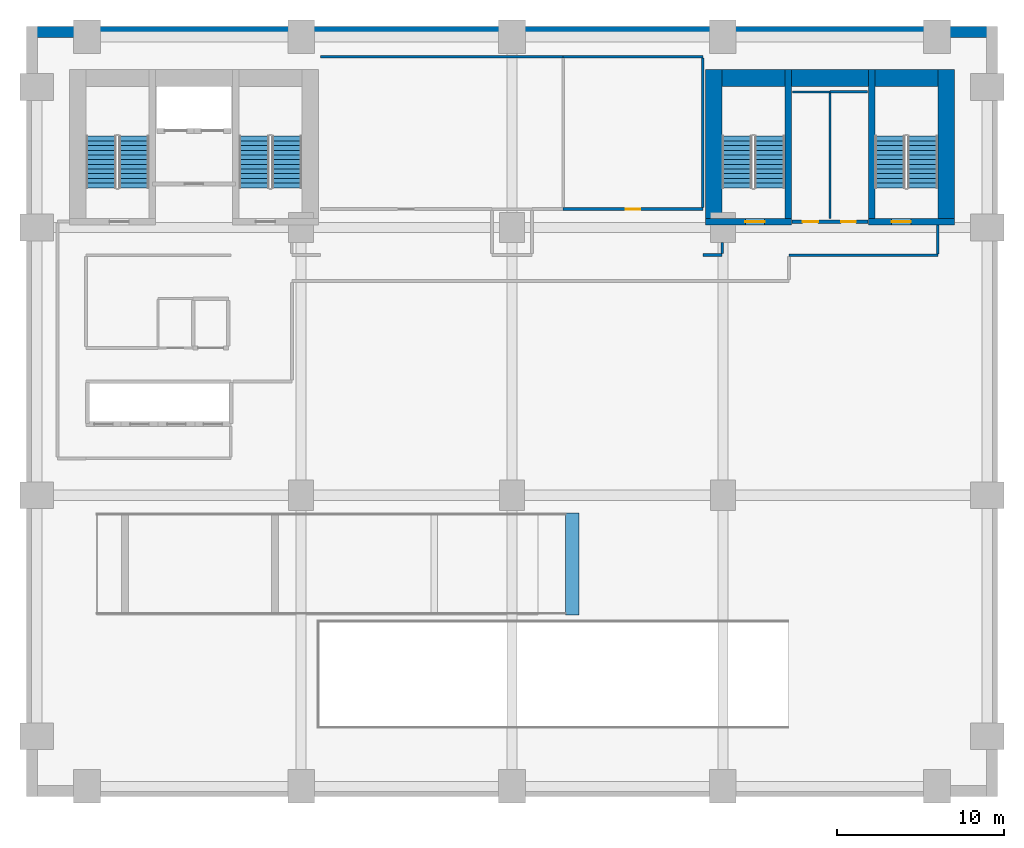
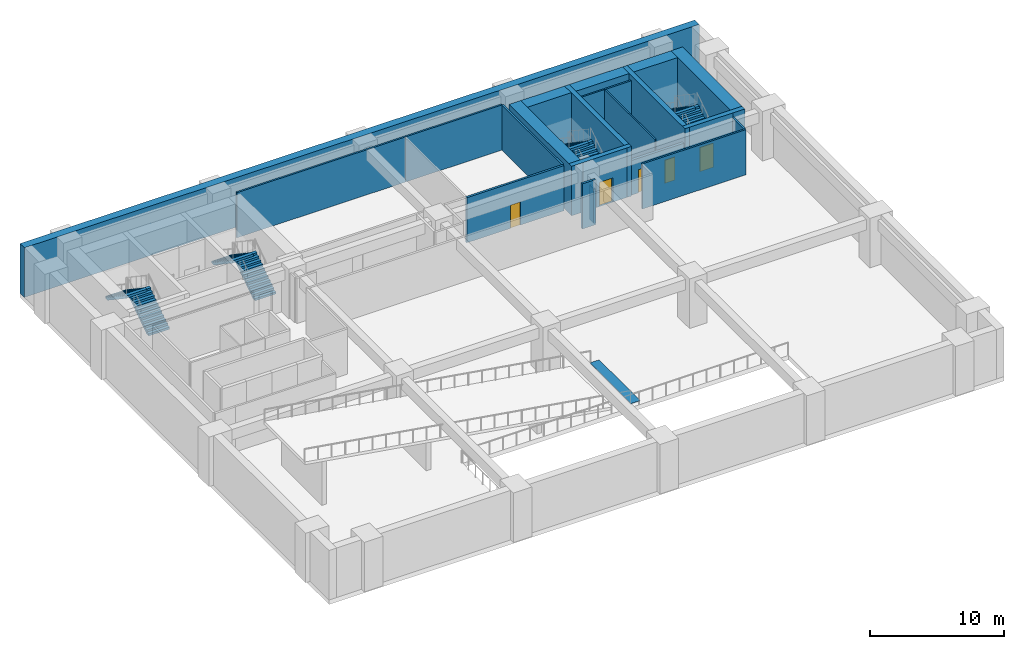
# One storey, part 3 of 6: 20 walls, 8 stair flights, 5 doors, 1 ramp, 5 openings, 4 elements without a shape of their own.
"""IFC4 building model written with IfcOpenShell, lengths in metres."""

from ifc_helpers import new_model, si_unit, direction, frame, frame_2d, origin, place, context, subcontext, project, spatial, polyline, rectangle, outline, extrude, material, layer, layer_set, type_object, element, fill, aggregate, save


model = new_model("IFC4")

# Units and contexts
model_context = context("Model", 3, precision=1e-05, world=origin(), true_north=direction((0.0, 1.0)))
body_context = subcontext(model_context, "Body", "Model", "MODEL_VIEW")
ifc_project = project(units=[si_unit("LENGTHUNIT", "METRE"), si_unit("AREAUNIT", "SQUARE_METRE"), si_unit("VOLUMEUNIT", "CUBIC_METRE"), si_unit("PLANEANGLEUNIT", "RADIAN"), si_unit("MASSUNIT", "GRAM", prefix="KILO")], contexts=[model_context])

# Site, building, storey
site_placement = place(None, origin())
site = spatial("IfcSite", under=ifc_project, at=site_placement, CompositionType="ELEMENT")
building_placement = place(site_placement, origin())
building = spatial("IfcBuilding", under=site, at=building_placement, Name="Sulina Concourse Tower", CompositionType="ELEMENT")
storey_placement = place(building_placement, frame((0.0, 0.0, -4.5)))
storey = spatial("IfcBuildingStorey", under=building, at=storey_placement, Name="B1", CompositionType="ELEMENT", Elevation=-4.5)

# Wall
ifc_material_1 = material(Name="Concrete C50/60", Category="concrete")
ifc_layer_1 = layer(ifc_material_1, 0.64990234375)
ifc_layer_set_1 = layer_set([ifc_layer_1], Name="Concrete C50/60")
wall_type_1 = type_object("IfcWallType", Name="Basement Perimeter Retaining Wall 650mm", PredefinedType="SOLIDWALL", material=ifc_layer_set_1)
wall_1_placement = place(storey_placement, frame((0.0, 45.675048828125, 0.0), z_axis=(0.0, 0.0, 1.0), x_axis=(1.0, 0.0, 0.0)))
element("IfcWall", 1, at=wall_1_placement, inside=storey, type_object=wall_type_1, Name="B1 basement retaining wall RW-N", PredefinedType="SOLIDWALL", context=body_context, shape_type="SweptSolid", body=[
    extrude(rectangle(XDim=58.0, YDim=0.64990234375, at=frame_2d((29.0, 0.0))), origin(), (0.0, 0.0, 1.0), 4.5),
])

# Wall, openings, doors
ifc_material_2 = material(Name="Gypsum board on steel stud", Category="steel")
ifc_layer_2 = layer(ifc_material_2, 0.219970703125)
ifc_layer_set_2 = layer_set([ifc_layer_2], Name="Gypsum board on steel stud")
wall_type_2 = type_object("IfcWallType", Name="Fire-Rated Lobby & Compartment Wall 220mm", PredefinedType="PARTITIONING", material=ifc_layer_set_2)
wall_2_placement = place(storey_placement, frame((45.719970703125, 34.35009765625, 0.0), z_axis=(0.0, 0.0, 1.0), x_axis=(1.0, 0.0, 0.0)))
wall_2 = element("IfcWall", 2, at=wall_2_placement, inside=storey, type_object=wall_type_2, Name="B1 east core south lobby wall", PredefinedType="PARTITIONING", context=body_context, shape_type="SweptSolid", body=[
    extrude(rectangle(XDim=4.56005859375, YDim=0.219970703125, at=frame_2d((2.280029296875, 0.0))), origin(), (0.0, 0.0, 1.0), 3.14501953125),
])
opening_1_placement = place(wall_2_placement, frame((0.64990234375, 0.0, 0.0)))
opening_1 = element("IfcOpeningElement", 3, at=opening_1_placement, cuts=wall_2, Name="Opening DR-61", PredefinedType="OPENING", context=body_context, shape_type="SweptSolid", body=[
    extrude(rectangle(XDim=0.919921875, YDim=2.10009765625, at=frame_2d((0.4599609375, 1.050048828125))), frame((0.0, 0.119873046875, 0.0), z_axis=(0.0, -1.0, 0.0), x_axis=(1.0, 0.0, 0.0)), (0.0, 0.0, 1.0), 0.239990234375),
])
opening_2_placement = place(wall_2_placement, frame((2.949951171875, 0.0, 0.0)))
opening_2 = element("IfcOpeningElement", 4, at=opening_2_placement, cuts=wall_2, Name="Opening DR-38", PredefinedType="OPENING", context=body_context, shape_type="SweptSolid", body=[
    extrude(rectangle(XDim=0.8798828125, YDim=2.10009765625, at=frame_2d((0.43994140625, 1.050048828125))), frame((0.0, 0.119873046875, 0.0), z_axis=(0.0, -1.0, 0.0), x_axis=(1.0, 0.0, 0.0)), (0.0, 0.0, 1.0), 0.239990234375),
])
ifc_material_3 = material(Name="Oak-veneered fire door leaf")
ifc_layer_3 = layer(ifc_material_3, 0.050048828125)
ifc_layer_set_3 = layer_set([ifc_layer_3], Name="Oak-veneered fire door leaf")
door_type_1 = type_object("IfcDoorType", Name="Accessible WC Door 920x2100", OperationType="NOTDEFINED", PredefinedType="DOOR", material=ifc_layer_set_3)
door_1_placement = place(opening_1_placement, origin())
door_1 = element("IfcDoor", 5, at=door_1_placement, inside=storey, type_object=door_type_1, Name="B1 east core accessible wc door", OperationType="SINGLE_SWING_RIGHT", OverallHeight=2.10009765625, OverallWidth=0.919921875, PredefinedType="DOOR", context=body_context, shape_type="SweptSolid", body=[
    extrude(rectangle(XDim=0.919921875, YDim=2.10009765625, at=frame_2d((0.4599609375, 1.050048828125))), frame((0.0, 0.02490234375, 0.0), z_axis=(0.0, -1.0, 0.0), x_axis=(1.0, 0.0, 0.0)), (0.0, 0.0, 1.0), 0.050048828125),
])
fill(opening_1, door_1)
ifc_material_4 = material(Name="Galvanised steel acoustic fire leaf", Category="steel")
ifc_layer_4 = layer(ifc_material_4, 0.050048828125)
ifc_layer_set_4 = layer_set([ifc_layer_4], Name="Galvanised steel acoustic fire leaf")
door_type_2 = type_object("IfcDoorType", Name="Service Riser Fire Door 880x2100", OperationType="NOTDEFINED", PredefinedType="DOOR", material=ifc_layer_set_4)
door_2_placement = place(opening_2_placement, origin())
door_2 = element("IfcDoor", 6, at=door_2_placement, inside=storey, type_object=door_type_2, Name="B1 east core store door", OperationType="SINGLE_SWING_LEFT", OverallHeight=2.10009765625, OverallWidth=0.8798828125, PredefinedType="DOOR", context=body_context, shape_type="SweptSolid", body=[
    extrude(rectangle(XDim=0.8798828125, YDim=2.10009765625, at=frame_2d((0.43994140625, 1.050048828125))), frame((0.0, 0.02490234375, 0.0), z_axis=(0.0, -1.0, 0.0), x_axis=(1.0, 0.0, 0.0)), (0.0, 0.0, 1.0), 0.050048828125),
])
fill(opening_2, door_2)

# Walls
ifc_material_5 = material(Name="Gypsum board on steel stud", Category="steel")
ifc_layer_5 = layer(ifc_material_5, 0.14990234375)
ifc_layer_set_5 = layer_set([ifc_layer_5], Name="Gypsum board on steel stud")
wall_type_3 = type_object("IfcWallType", Name="Inter-Tenancy Acoustic Partition 150mm", PredefinedType="PARTITIONING", material=ifc_layer_set_5)
wall_3_placement = place(storey_placement, frame((45.550048828125, 32.35009765625, 0.0), z_axis=(0.0, 0.0, 1.0), x_axis=(1.0, 0.0, 0.0)))
element("IfcWall", 7, at=wall_3_placement, inside=storey, type_object=wall_type_3, Name="B1 interior partition 014", PredefinedType="PARTITIONING", context=body_context, shape_type="SweptSolid", body=[
    extrude(rectangle(XDim=8.89990234375, YDim=0.14990234375, at=frame_2d((4.449951171875, 0.0))), origin(), (0.0, 0.0, 1.0), 4.10009765625),
])
wall_4_placement = place(storey_placement, frame((48.0, 42.10009765625, 0.0), z_axis=(0.0, 0.0, 1.0), x_axis=(1.0, 0.0, 0.0)))
element("IfcWall", 8, at=wall_4_placement, inside=storey, type_object=wall_type_3, Name="B1 interior partition 021", PredefinedType="PARTITIONING", context=body_context, shape_type="SweptSolid", body=[
    extrude(rectangle(XDim=2.25, YDim=0.14990234375, at=frame_2d((1.125, 0.0))), origin(), (0.0, 0.0, 1.0), 4.10009765625),
])
wall_5_placement = place(storey_placement, frame((17.550048828125, 44.199951171875, 0.0), z_axis=(0.0, 0.0, 1.0), x_axis=(1.0, 0.0, 0.0)))
element("IfcWall", 9, at=wall_5_placement, inside=storey, type_object=wall_type_3, Name="B1 interior partition 022", PredefinedType="PARTITIONING", context=body_context, shape_type="SweptSolid", body=[
    extrude(rectangle(XDim=14.5, YDim=0.14990234375, at=frame_2d((7.25, 0.0))), origin(), (0.0, 0.0, 1.0), 4.10009765625),
])
wall_6_placement = place(storey_placement, frame((32.050048828125, 44.199951171875, 0.0), z_axis=(0.0, 0.0, 1.0), x_axis=(1.0, 0.0, 0.0)))
element("IfcWall", 10, at=wall_6_placement, inside=storey, type_object=wall_type_3, Name="B1 interior partition 023", PredefinedType="PARTITIONING", context=body_context, shape_type="SweptSolid", body=[
    extrude(rectangle(XDim=8.349853515625, YDim=0.14990234375, at=frame_2d((4.1748046875, 0.0))), origin(), (0.0, 0.0, 1.0), 4.10009765625),
])
wall_7_placement = place(storey_placement, frame((40.39990234375, 35.18994140625, 0.0), z_axis=(0.0, 0.0, 1.0), x_axis=(0.0, 1.0, 0.0)))
element("IfcWall", 11, at=wall_7_placement, inside=storey, type_object=wall_type_3, Name="B1 interior partition 035", PredefinedType="PARTITIONING", context=body_context, shape_type="SweptSolid", body=[
    extrude(rectangle(XDim=8.93505859375, YDim=0.14990234375, at=frame_2d((4.467529296875, 0.0))), origin(), (0.0, 0.0, 1.0), 4.10009765625),
])
wall_8_placement = place(storey_placement, frame((41.550048828125, 32.43994140625, 0.0), z_axis=(0.0, 0.0, 1.0), x_axis=(0.0, 1.0, 0.0)))
element("IfcWall", 12, at=wall_8_placement, inside=storey, type_object=wall_type_3, Name="B1 interior partition 036", PredefinedType="PARTITIONING", context=body_context, shape_type="SweptSolid", body=[
    extrude(rectangle(XDim=0.66015625, YDim=0.14990234375, at=frame_2d((0.330078125, 0.0))), origin(), (0.0, 0.0, 1.0), 3.14501953125),
])
wall_9_placement = place(storey_placement, frame((54.449951171875, 32.425048828125, 0.0), z_axis=(0.0, 0.0, 1.0), x_axis=(0.0, 1.0, 0.0)))
element("IfcWall", 13, at=wall_9_placement, inside=storey, type_object=wall_type_3, Name="B1 interior partition 039", PredefinedType="PARTITIONING", context=body_context, shape_type="SweptSolid", body=[
    extrude(rectangle(XDim=1.724853515625, YDim=0.14990234375, at=frame_2d((0.8623046875, 0.0))), origin(), (0.0, 0.0, 1.0), 4.10009765625),
])
ifc_material_6 = material(Name="Gypsum board on steel stud", Category="steel")
ifc_layer_6 = layer(ifc_material_6, 0.179931640625)
ifc_layer_set_6 = layer_set([ifc_layer_6], Name="Gypsum board on steel stud")
wall_type_4 = type_object("IfcWallType", Name="Protected Corridor & Riser Partition 180mm", PredefinedType="PARTITIONING", material=ifc_layer_set_6)
wall_10_placement = place(storey_placement, frame((40.39990234375, 32.35009765625, 0.0), z_axis=(0.0, 0.0, 1.0), x_axis=(1.0, 0.0, 0.0)))
element("IfcWall", 14, at=wall_10_placement, inside=storey, type_object=wall_type_4, Name="B1 interior partition 013", PredefinedType="PARTITIONING", context=body_context, shape_type="SweptSolid", body=[
    extrude(rectangle(XDim=1.150146484375, YDim=0.179931640625, at=frame_2d((0.5751953125, 0.0))), origin(), (0.0, 0.0, 1.0), 4.10009765625),
])

# Wall, opening, door
wall_11_placement = place(storey_placement, frame((32.050048828125, 35.10009765625, 0.0), z_axis=(0.0, 0.0, 1.0), x_axis=(1.0, 0.0, 0.0)))
wall_11 = element("IfcWall", 15, at=wall_11_placement, inside=storey, type_object=wall_type_4, Name="B1 interior partition 019", PredefinedType="PARTITIONING", context=body_context, shape_type="SweptSolid", body=[
    extrude(rectangle(XDim=8.349853515625, YDim=0.179931640625, at=frame_2d((4.1748046875, 0.0))), origin(), (0.0, 0.0, 1.0), 4.10009765625),
])
opening_3_placement = place(wall_11_placement, frame((3.735107421875, 0.0, 0.0)))
opening_3 = element("IfcOpeningElement", 16, at=opening_3_placement, cuts=wall_11, Name="Opening DR-38", PredefinedType="OPENING", context=body_context, shape_type="SweptSolid", body=[
    extrude(rectangle(XDim=0.8798828125, YDim=2.10009765625, at=frame_2d((0.43994140625, 1.050048828125))), frame((0.0, 0.099853515625, 0.0), z_axis=(0.0, -1.0, 0.0), x_axis=(1.0, 0.0, 0.0)), (0.0, 0.0, 1.0), 0.199951171875),
])
door_3_placement = place(opening_3_placement, origin())
door_3 = element("IfcDoor", 17, at=door_3_placement, inside=storey, type_object=door_type_2, Name="B1 interior door B1-CYC-ST", OperationType="SINGLE_SWING_RIGHT", OverallHeight=2.10009765625, OverallWidth=0.8798828125, PredefinedType="DOOR", context=body_context, shape_type="SweptSolid", body=[
    extrude(rectangle(XDim=0.8798828125, YDim=2.10009765625, at=frame_2d((0.43994140625, 1.050048828125))), frame((0.0, 0.02490234375, 0.0), z_axis=(0.0, -1.0, 0.0), x_axis=(1.0, 0.0, 0.0)), (0.0, 0.0, 1.0), 0.050048828125),
])
fill(opening_3, door_3)

ifc_material_7 = material(Name="Concrete C60/75", Category="concrete")
ifc_layer_7 = layer(ifc_material_7, 0.39990234375)
ifc_layer_set_7 = layer_set([ifc_layer_7], Name="Concrete C60/75")
wall_type_5 = type_object("IfcWallType", Name="Protected Stair Core Shear Wall 400mm", PredefinedType="SHEAR", material=ifc_layer_set_7)
wall_12_placement = place(storey_placement, frame((40.550048828125, 34.35009765625, 0.0), z_axis=(0.0, 0.0, 1.0), x_axis=(1.0, 0.0, 0.0)))
wall_12 = element("IfcWall", 18, at=wall_12_placement, inside=storey, type_object=wall_type_5, Name="B1 east core shear wall CW-ES1", PredefinedType="SHEAR", context=body_context, shape_type="SweptSolid", body=[
    extrude(rectangle(XDim=5.159912109375, YDim=0.39990234375, at=frame_2d((2.580078125, 0.0))), origin(), (0.0, 0.0, 1.0), 4.5),
])
opening_4_placement = place(wall_12_placement, frame((2.39990234375, 0.0, 0.0)))
opening_4 = element("IfcOpeningElement", 19, at=opening_4_placement, cuts=wall_12, Name="Opening DR-60", PredefinedType="OPENING", context=body_context, shape_type="SweptSolid", body=[
    extrude(rectangle(XDim=1.14990234375, YDim=2.199951171875, at=frame_2d((0.574951171875, 1.10009765625))), frame((0.0, 0.2099609375, 0.0), z_axis=(0.0, -1.0, 0.0), x_axis=(1.0, 0.0, 0.0)), (0.0, 0.0, 1.0), 0.419921875),
])
ifc_material_8 = material(Name="Galvanised steel acoustic fire leaf", Category="steel")
ifc_layer_8 = layer(ifc_material_8, 0.054931640625)
ifc_layer_set_8 = layer_set([ifc_layer_8], Name="Galvanised steel acoustic fire leaf")
door_type_3 = type_object("IfcDoorType", Name="Protected Exit Stair Fire Door 1150x2200", OperationType="NOTDEFINED", PredefinedType="DOOR", material=ifc_layer_set_8)
door_4_placement = place(opening_4_placement, origin())
door_4 = element("IfcDoor", 20, at=door_4_placement, inside=storey, type_object=door_type_3, Name="B1 stair ST-3 south lobby fire door", OperationType="SINGLE_SWING_LEFT", OverallHeight=2.199951171875, OverallWidth=1.14990234375, PredefinedType="DOOR", context=body_context, shape_type="SweptSolid", body=[
    extrude(rectangle(XDim=1.14990234375, YDim=2.199951171875, at=frame_2d((0.574951171875, 1.10009765625))), frame((0.0, 0.02490234375, 0.0), z_axis=(0.0, -1.0, 0.0), x_axis=(1.0, 0.0, 0.0)), (0.0, 0.0, 1.0), 0.050048828125),
])
fill(opening_4, door_4)

# Wall
wall_13_placement = place(storey_placement, frame((45.510009765625, 34.14990234375, 0.0), z_axis=(0.0, 0.0, 1.0), x_axis=(0.0, 1.0, 0.0)))
element("IfcWall", 21, at=wall_13_placement, inside=storey, type_object=wall_type_5, Name="B1 east core shear wall SW-ST3", PredefinedType="SHEAR", context=body_context, shape_type="SweptSolid", body=[
    extrude(rectangle(XDim=9.280029296875, YDim=0.39990234375, at=frame_2d((4.64013671875, 0.0))), origin(), (0.0, 0.0, 1.0), 4.5),
])

# Wall, opening, door
wall_14_placement = place(storey_placement, frame((50.2900390625, 34.35009765625, 0.0), z_axis=(0.0, 0.0, 1.0), x_axis=(1.0, 0.0, 0.0)))
wall_14 = element("IfcWall", 22, at=wall_14_placement, inside=storey, type_object=wall_type_5, Name="B1 east core shear wall CW-ES2", PredefinedType="SHEAR", context=body_context, shape_type="SweptSolid", body=[
    extrude(rectangle(XDim=5.159912109375, YDim=0.39990234375, at=frame_2d((2.580078125, 0.0))), origin(), (0.0, 0.0, 1.0), 4.5),
])
opening_5_placement = place(wall_14_placement, frame((1.39990234375, 0.0, 0.0)))
opening_5 = element("IfcOpeningElement", 23, at=opening_5_placement, cuts=wall_14, Name="Opening DR-60", PredefinedType="OPENING", context=body_context, shape_type="SweptSolid", body=[
    extrude(rectangle(XDim=1.14990234375, YDim=2.199951171875, at=frame_2d((0.574951171875, 1.10009765625))), frame((0.0, 0.2099609375, 0.0), z_axis=(0.0, -1.0, 0.0), x_axis=(1.0, 0.0, 0.0)), (0.0, 0.0, 1.0), 0.419921875),
])
door_5_placement = place(opening_5_placement, origin())
door_5 = element("IfcDoor", 24, at=door_5_placement, inside=storey, type_object=door_type_3, Name="B1 stair ST-4 south lobby fire door", OperationType="SINGLE_SWING_RIGHT", OverallHeight=2.199951171875, OverallWidth=1.14990234375, PredefinedType="DOOR", context=body_context, shape_type="SweptSolid", body=[
    extrude(rectangle(XDim=1.14990234375, YDim=2.199951171875, at=frame_2d((0.574951171875, 1.10009765625))), frame((0.0, 0.02490234375, 0.0), z_axis=(0.0, -1.0, 0.0), x_axis=(1.0, 0.0, 0.0)), (0.0, 0.0, 1.0), 0.050048828125),
])
fill(opening_5, door_5)

# Walls
wall_15_placement = place(storey_placement, frame((50.489990234375, 34.14990234375, 0.0), z_axis=(0.0, 0.0, 1.0), x_axis=(0.0, 1.0, 0.0)))
element("IfcWall", 25, at=wall_15_placement, inside=storey, type_object=wall_type_5, Name="B1 east core shear wall SW-ST4", PredefinedType="SHEAR", context=body_context, shape_type="SweptSolid", body=[
    extrude(rectangle(XDim=9.280029296875, YDim=0.39990234375, at=frame_2d((4.64013671875, 0.0))), origin(), (0.0, 0.0, 1.0), 4.5),
])
ifc_material_9 = material(Name="Concrete C80/95", Category="concrete")
ifc_layer_9 = layer(ifc_material_9, 1.0)
ifc_layer_set_9 = layer_set([ifc_layer_9], Name="Concrete C80/95")
wall_type_6 = type_object("IfcWallType", Name="Rear Core Shear Wall 1000mm", PredefinedType="SHEAR", material=ifc_layer_set_9)
wall_16_placement = place(storey_placement, frame((40.550048828125, 42.929931640625, 0.0), z_axis=(0.0, 0.0, 1.0), x_axis=(1.0, 0.0, 0.0)))
element("IfcWall", 26, at=wall_16_placement, inside=storey, type_object=wall_type_6, Name="B1 east core shear wall CW-EN", PredefinedType="SHEAR", context=body_context, shape_type="SweptSolid", body=[
    extrude(rectangle(XDim=14.89990234375, YDim=1.0, at=frame_2d((7.449951171875, 0.0))), origin(), (0.0, 0.0, 1.0), 4.5),
])
for number, where, z_axis, x_axis, name in (
    (27, (41.050048828125, 34.14990234375, 0.0), (0.0, 0.0, 1.0), (0.0, 1.0, 0.0), "B1 east core shear wall CW-EW"),
    (28, (54.949951171875, 34.14990234375, 0.0), (0.0, 0.0, 1.0), (0.0, 1.0, 0.0), "B1 east core shear wall CW-EE"),
):
    element("IfcWall", number, at=place(storey_placement, frame(where, z_axis=z_axis, x_axis=x_axis)), inside=storey, type_object=wall_type_6, Name=name, PredefinedType="SHEAR", context=body_context, shape_type="SweptSolid", body=[
        extrude(rectangle(XDim=9.280029296875, YDim=1.0, at=frame_2d((4.64013671875, 0.0))), origin(), (0.0, 0.0, 1.0), 4.5),
    ])
ifc_material_10 = material(Name="Gypsum board on steel stud", Category="steel")
ifc_layer_10 = layer(ifc_material_10, 0.125)
ifc_layer_set_10 = layer_set([ifc_layer_10], Name="Gypsum board on steel stud")
wall_type_7 = type_object("IfcWallType", Name="Wet-Area Moisture-Resistant Partition 125mm", PredefinedType="PARTITIONING", material=ifc_layer_set_10)
wall_17_placement = place(storey_placement, frame((45.75, 42.10009765625, 0.0), z_axis=(0.0, 0.0, 1.0), x_axis=(1.0, 0.0, 0.0)))
element("IfcWall", 29, at=wall_17_placement, inside=storey, type_object=wall_type_7, Name="B1 interior partition 020", PredefinedType="PARTITIONING", context=body_context, shape_type="SweptSolid", body=[
    extrude(rectangle(XDim=2.25, YDim=0.125, at=frame_2d((1.125, 0.0))), origin(), (0.0, 0.0, 1.0), 4.10009765625),
])
wall_18_placement = place(storey_placement, frame((48.0, 34.550048828125, 0.0), z_axis=(0.0, 0.0, 1.0), x_axis=(0.0, 1.0, 0.0)))
element("IfcWall", 30, at=wall_18_placement, inside=storey, type_object=wall_type_7, Name="B1 interior partition 038", PredefinedType="PARTITIONING", context=body_context, shape_type="SweptSolid", body=[
    extrude(rectangle(XDim=7.474853515625, YDim=0.125, at=frame_2d((3.7373046875, 0.0))), origin(), (0.0, 0.0, 1.0), 4.10009765625),
])

# Stair, stair flights
ifc_material_11 = material(Name="Concrete C50/60", Category="concrete")
stair_type_1 = type_object("IfcStairType", Name="Portal & Podium Core Exit Stair 1820mm", PredefinedType="HALF_TURN_STAIR", material=ifc_material_11)
stair_1_placement = place(storey_placement, origin())
stair_1 = element("IfcStair", 31, at=stair_1_placement, inside=storey, type_object=stair_type_1, Name="B1 ST-3", PredefinedType="HALF_TURN_STAIR")
ifc_material_12 = material(Name="Concrete C50/60", Category="concrete")
stair_flight_type_1 = type_object("IfcStairFlightType", Name="Portal & Podium Core Exit Stair 1820mm Flight", PredefinedType="STRAIGHT", material=ifc_material_12)
stair_flight_1_placement = place(storey_placement, frame((44.405029296875, 36.375, 0.0), z_axis=(0.0, 0.0, 1.0), x_axis=(0.0, 1.0, 0.0)))
stair_flight_1 = element("IfcStairFlight", 32, at=stair_flight_1_placement, type_object=stair_flight_type_1, Name="ST-3 flight 1", NumberOfRisers=12, NumberOfTreads=11, PredefinedType="STRAIGHT", RiserHeight=0.1875, TreadLength=0.28, context=body_context, shape_type="SweptSolid", body=[
    extrude(outline(polyline([(0.0, 0.0), (0.0, 0.1875), (0.280029296875, 0.1875), (0.280029296875, 0.375), (0.56005859375, 0.375), (0.56005859375, 0.5625), (0.840087890625, 0.5625), (0.840087890625, 0.75), (1.1201171875, 0.75), (1.1201171875, 0.9375), (1.39990234375, 0.9375), (1.39990234375, 1.125), (1.679931640625, 1.125), (1.679931640625, 1.3125), (1.9599609375, 1.3125), (1.9599609375, 1.5), (2.239990234375, 1.5), (2.239990234375, 1.6875), (2.52001953125, 1.6875), (2.52001953125, 1.875), (2.800048828125, 1.875), (2.800048828125, 2.0625), (3.080078125, 2.0625), (3.080078125, 2.25), (3.080078125, 1.845947265625), (0.323486328125, 0.0), (0.0, 0.0)])), frame((0.0, 0.89990234375, 0.0), z_axis=(0.0, -1.0, 0.0), x_axis=(1.0, 0.0, 0.0)), (0.0, 0.0, 1.0), 1.800048828125),
])
stair_flight_2_placement = place(storey_placement, frame((42.455078125, 39.455078125, 2.25), z_axis=(0.0, 0.0, 1.0), x_axis=(0.0, -1.0, 0.0)))
stair_flight_2 = element("IfcStairFlight", 33, at=stair_flight_2_placement, type_object=stair_flight_type_1, Name="ST-3 flight 2", NumberOfRisers=12, NumberOfTreads=11, PredefinedType="STRAIGHT", RiserHeight=0.1875, TreadLength=0.28, context=body_context, shape_type="SweptSolid", body=[
    extrude(outline(polyline([(0.0, 0.0), (0.0, 0.1875), (0.280029296875, 0.1875), (0.280029296875, 0.375), (0.56005859375, 0.375), (0.56005859375, 0.5625), (0.840087890625, 0.5625), (0.840087890625, 0.75), (1.1201171875, 0.75), (1.1201171875, 0.9375), (1.39990234375, 0.9375), (1.39990234375, 1.125), (1.679931640625, 1.125), (1.679931640625, 1.3125), (1.9599609375, 1.3125), (1.9599609375, 1.5), (2.239990234375, 1.5), (2.239990234375, 1.6875), (2.52001953125, 1.6875), (2.52001953125, 1.875), (2.800048828125, 1.875), (2.800048828125, 2.0625), (3.080078125, 2.0625), (3.080078125, 2.25), (3.080078125, 1.845947265625), (0.323486328125, 0.0), (0.0, 0.0)])), frame((0.0, 0.89990234375, 0.0), z_axis=(0.0, -1.0, 0.0), x_axis=(1.0, 0.0, 0.0)), (0.0, 0.0, 1.0), 1.800048828125),
])
aggregate(stair_1, [stair_flight_1, stair_flight_2])

stair_2_placement = place(storey_placement, origin())
stair_2 = element("IfcStair", 34, at=stair_2_placement, inside=storey, type_object=stair_type_1, Name="B1 ST-4", PredefinedType="HALF_TURN_STAIR")
stair_flight_3_placement = place(storey_placement, frame((53.544921875, 36.375, 0.0), z_axis=(0.0, 0.0, 1.0), x_axis=(0.0, 1.0, 0.0)))
stair_flight_3 = element("IfcStairFlight", 35, at=stair_flight_3_placement, type_object=stair_flight_type_1, Name="ST-4 flight 1", NumberOfRisers=12, NumberOfTreads=11, PredefinedType="STRAIGHT", RiserHeight=0.1875, TreadLength=0.28, context=body_context, shape_type="SweptSolid", body=[
    extrude(outline(polyline([(0.0, 0.0), (0.0, 0.1875), (0.280029296875, 0.1875), (0.280029296875, 0.375), (0.56005859375, 0.375), (0.56005859375, 0.5625), (0.840087890625, 0.5625), (0.840087890625, 0.75), (1.1201171875, 0.75), (1.1201171875, 0.9375), (1.39990234375, 0.9375), (1.39990234375, 1.125), (1.679931640625, 1.125), (1.679931640625, 1.3125), (1.9599609375, 1.3125), (1.9599609375, 1.5), (2.239990234375, 1.5), (2.239990234375, 1.6875), (2.52001953125, 1.6875), (2.52001953125, 1.875), (2.800048828125, 1.875), (2.800048828125, 2.0625), (3.080078125, 2.0625), (3.080078125, 2.25), (3.080078125, 1.845947265625), (0.323486328125, 0.0), (0.0, 0.0)])), frame((0.0, 0.89990234375, 0.0), z_axis=(0.0, -1.0, 0.0), x_axis=(1.0, 0.0, 0.0)), (0.0, 0.0, 1.0), 1.800048828125),
])
stair_flight_4_placement = place(storey_placement, frame((51.594970703125, 39.455078125, 2.25), z_axis=(0.0, 0.0, 1.0), x_axis=(0.0, -1.0, 0.0)))
stair_flight_4 = element("IfcStairFlight", 36, at=stair_flight_4_placement, type_object=stair_flight_type_1, Name="ST-4 flight 2", NumberOfRisers=12, NumberOfTreads=11, PredefinedType="STRAIGHT", RiserHeight=0.1875, TreadLength=0.28, context=body_context, shape_type="SweptSolid", body=[
    extrude(outline(polyline([(0.0, 0.0), (0.0, 0.1875), (0.280029296875, 0.1875), (0.280029296875, 0.375), (0.56005859375, 0.375), (0.56005859375, 0.5625), (0.840087890625, 0.5625), (0.840087890625, 0.75), (1.1201171875, 0.75), (1.1201171875, 0.9375), (1.39990234375, 0.9375), (1.39990234375, 1.125), (1.679931640625, 1.125), (1.679931640625, 1.3125), (1.9599609375, 1.3125), (1.9599609375, 1.5), (2.239990234375, 1.5), (2.239990234375, 1.6875), (2.52001953125, 1.6875), (2.52001953125, 1.875), (2.800048828125, 1.875), (2.800048828125, 2.0625), (3.080078125, 2.0625), (3.080078125, 2.25), (3.080078125, 1.845947265625), (0.323486328125, 0.0), (0.0, 0.0)])), frame((0.0, 0.89990234375, 0.0), z_axis=(0.0, -1.0, 0.0), x_axis=(1.0, 0.0, 0.0)), (0.0, 0.0, 1.0), 1.800048828125),
])
aggregate(stair_2, [stair_flight_3, stair_flight_4])

ifc_material_13 = material(Name="Concrete C50/60", Category="concrete")
stair_type_2 = type_object("IfcStairType", Name="Primary Core Dog-Leg Exit Stair 1800mm", PredefinedType="HALF_TURN_STAIR", material=ifc_material_13)
stair_3_placement = place(storey_placement, origin())
stair_3 = element("IfcStair", 37, at=stair_3_placement, inside=storey, type_object=stair_type_2, Name="B1 ST-1", PredefinedType="HALF_TURN_STAIR")
ifc_material_14 = material(Name="Concrete C50/60", Category="concrete")
stair_flight_type_2 = type_object("IfcStairFlightType", Name="Primary Core Dog-Leg Exit Stair 1800mm Flight", PredefinedType="STRAIGHT", material=ifc_material_14)
stair_flight_5_placement = place(storey_placement, frame((6.405029296875, 36.375, 0.0), z_axis=(0.0, 0.0, 1.0), x_axis=(0.0, 1.0, 0.0)))
stair_flight_5 = element("IfcStairFlight", 38, at=stair_flight_5_placement, type_object=stair_flight_type_2, Name="ST-1 flight 1", NumberOfRisers=12, NumberOfTreads=11, PredefinedType="STRAIGHT", RiserHeight=0.1875, TreadLength=0.28, context=body_context, shape_type="SweptSolid", body=[
    extrude(outline(polyline([(0.0, 0.0), (0.0, 0.1875), (0.280029296875, 0.1875), (0.280029296875, 0.375), (0.56005859375, 0.375), (0.56005859375, 0.5625), (0.840087890625, 0.5625), (0.840087890625, 0.75), (1.1201171875, 0.75), (1.1201171875, 0.9375), (1.39990234375, 0.9375), (1.39990234375, 1.125), (1.679931640625, 1.125), (1.679931640625, 1.3125), (1.9599609375, 1.3125), (1.9599609375, 1.5), (2.239990234375, 1.5), (2.239990234375, 1.6875), (2.52001953125, 1.6875), (2.52001953125, 1.875), (2.800048828125, 1.875), (2.800048828125, 2.0625), (3.080078125, 2.0625), (3.080078125, 2.25), (3.080078125, 1.845947265625), (0.323486328125, 0.0), (0.0, 0.0)])), frame((0.0, 0.89990234375, 0.0), z_axis=(0.0, -1.0, 0.0), x_axis=(1.0, 0.0, 0.0)), (0.0, 0.0, 1.0), 1.800048828125),
])
stair_flight_6_placement = place(storey_placement, frame((4.455078125, 39.455078125, 2.25), z_axis=(0.0, 0.0, 1.0), x_axis=(0.0, -1.0, 0.0)))
stair_flight_6 = element("IfcStairFlight", 39, at=stair_flight_6_placement, type_object=stair_flight_type_2, Name="ST-1 flight 2", NumberOfRisers=12, NumberOfTreads=11, PredefinedType="STRAIGHT", RiserHeight=0.1875, TreadLength=0.28, context=body_context, shape_type="SweptSolid", body=[
    extrude(outline(polyline([(0.0, 0.0), (0.0, 0.1875), (0.280029296875, 0.1875), (0.280029296875, 0.375), (0.56005859375, 0.375), (0.56005859375, 0.5625), (0.840087890625, 0.5625), (0.840087890625, 0.75), (1.1201171875, 0.75), (1.1201171875, 0.9375), (1.39990234375, 0.9375), (1.39990234375, 1.125), (1.679931640625, 1.125), (1.679931640625, 1.3125), (1.9599609375, 1.3125), (1.9599609375, 1.5), (2.239990234375, 1.5), (2.239990234375, 1.6875), (2.52001953125, 1.6875), (2.52001953125, 1.875), (2.800048828125, 1.875), (2.800048828125, 2.0625), (3.080078125, 2.0625), (3.080078125, 2.25), (3.080078125, 1.845947265625), (0.323486328125, 0.0), (0.0, 0.0)])), frame((0.0, 0.89990234375, 0.0), z_axis=(0.0, -1.0, 0.0), x_axis=(1.0, 0.0, 0.0)), (0.0, 0.0, 1.0), 1.800048828125),
])
aggregate(stair_3, [stair_flight_5, stair_flight_6])

stair_4_placement = place(storey_placement, origin())
stair_4 = element("IfcStair", 40, at=stair_4_placement, inside=storey, type_object=stair_type_2, Name="B1 ST-2", PredefinedType="HALF_TURN_STAIR")
stair_flight_7_placement = place(storey_placement, frame((15.544921875, 36.375, 0.0), z_axis=(0.0, 0.0, 1.0), x_axis=(0.0, 1.0, 0.0)))
stair_flight_7 = element("IfcStairFlight", 41, at=stair_flight_7_placement, type_object=stair_flight_type_2, Name="ST-2 flight 1", NumberOfRisers=12, NumberOfTreads=11, PredefinedType="STRAIGHT", RiserHeight=0.1875, TreadLength=0.28, context=body_context, shape_type="SweptSolid", body=[
    extrude(outline(polyline([(0.0, 0.0), (0.0, 0.1875), (0.280029296875, 0.1875), (0.280029296875, 0.375), (0.56005859375, 0.375), (0.56005859375, 0.5625), (0.840087890625, 0.5625), (0.840087890625, 0.75), (1.1201171875, 0.75), (1.1201171875, 0.9375), (1.39990234375, 0.9375), (1.39990234375, 1.125), (1.679931640625, 1.125), (1.679931640625, 1.3125), (1.9599609375, 1.3125), (1.9599609375, 1.5), (2.239990234375, 1.5), (2.239990234375, 1.6875), (2.52001953125, 1.6875), (2.52001953125, 1.875), (2.800048828125, 1.875), (2.800048828125, 2.0625), (3.080078125, 2.0625), (3.080078125, 2.25), (3.080078125, 1.845947265625), (0.323486328125, 0.0), (0.0, 0.0)])), frame((0.0, 0.89990234375, 0.0), z_axis=(0.0, -1.0, 0.0), x_axis=(1.0, 0.0, 0.0)), (0.0, 0.0, 1.0), 1.800048828125),
])
stair_flight_8_placement = place(storey_placement, frame((13.594970703125, 39.455078125, 2.25), z_axis=(0.0, 0.0, 1.0), x_axis=(0.0, -1.0, 0.0)))
stair_flight_8 = element("IfcStairFlight", 42, at=stair_flight_8_placement, type_object=stair_flight_type_2, Name="ST-2 flight 2", NumberOfRisers=12, NumberOfTreads=11, PredefinedType="STRAIGHT", RiserHeight=0.1875, TreadLength=0.28, context=body_context, shape_type="SweptSolid", body=[
    extrude(outline(polyline([(0.0, 0.0), (0.0, 0.1875), (0.280029296875, 0.1875), (0.280029296875, 0.375), (0.56005859375, 0.375), (0.56005859375, 0.5625), (0.840087890625, 0.5625), (0.840087890625, 0.75), (1.1201171875, 0.75), (1.1201171875, 0.9375), (1.39990234375, 0.9375), (1.39990234375, 1.125), (1.679931640625, 1.125), (1.679931640625, 1.3125), (1.9599609375, 1.3125), (1.9599609375, 1.5), (2.239990234375, 1.5), (2.239990234375, 1.6875), (2.52001953125, 1.6875), (2.52001953125, 1.875), (2.800048828125, 1.875), (2.800048828125, 2.0625), (3.080078125, 2.0625), (3.080078125, 2.25), (3.080078125, 1.845947265625), (0.323486328125, 0.0), (0.0, 0.0)])), frame((0.0, 0.89990234375, 0.0), z_axis=(0.0, -1.0, 0.0), x_axis=(1.0, 0.0, 0.0)), (0.0, 0.0, 1.0), 1.800048828125),
])
aggregate(stair_4, [stair_flight_7, stair_flight_8])

# Ramp
ifc_material_15 = material(Name="Concrete C50/60", Category="concrete")
ramp_type = type_object("IfcRampType", Name="Car Park Two-Way Vehicle Ramp Assembly", PredefinedType="STRAIGHT_RUN_RAMP", material=ifc_material_15)
ramp_placement = place(storey_placement, frame((0.0, 0.0, -0.080078125)))
element("IfcRamp", 43, at=ramp_placement, inside=storey, type_object=ramp_type, Name="B1 vehicular ramp entry pad RMP-VEH-B1", PredefinedType="STRAIGHT_RUN_RAMP", context=body_context, shape_type="SweptSolid", body=[
    extrude(outline(polyline([(32.199951171875, 10.85009765625), (33.0, 10.85009765625), (33.0, 16.949951171875), (32.199951171875, 16.949951171875), (32.199951171875, 10.85009765625)])), origin(), (0.0, 0.0, 1.0), 0.080078125),
])

save(model, "model.ifc")
